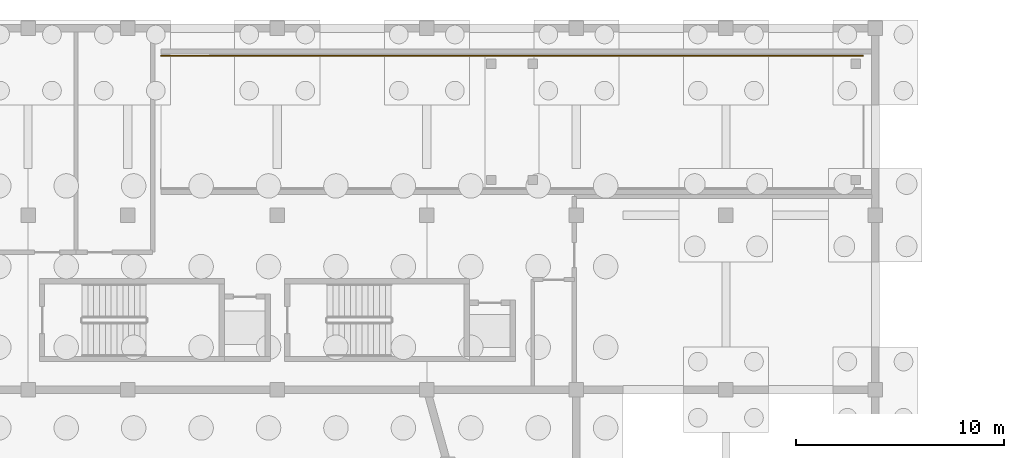
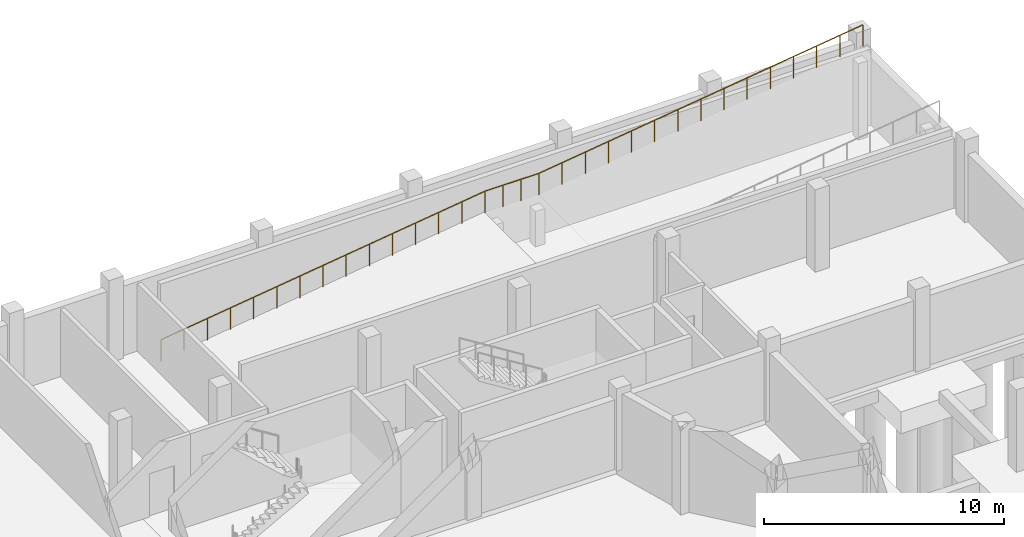
# One storey, part 21 of 22: 1 railing.
"""IFC4 building model written with IfcOpenShell, lengths in metres."""

from ifc_helpers import new_model, si_unit, direction, frame, origin, origin_2d, place, context, subcontext, project, spatial, circle, extrude, material, type_object, element, save


model = new_model("IFC4")

# Units and contexts
model_context = context("Model", 3, precision=1e-05, world=origin(), true_north=direction((0.0, 1.0)))
body_context = subcontext(model_context, "Body", "Model", "MODEL_VIEW")
ifc_project = project(units=[si_unit("LENGTHUNIT", "METRE"), si_unit("AREAUNIT", "SQUARE_METRE"), si_unit("VOLUMEUNIT", "CUBIC_METRE"), si_unit("PLANEANGLEUNIT", "RADIAN"), si_unit("MASSUNIT", "GRAM", prefix="KILO")], contexts=[model_context])

# Site, building, storey
site_placement = place(None, origin())
site = spatial("IfcSite", under=ifc_project, at=site_placement, CompositionType="ELEMENT")
building_placement = place(site_placement, origin())
building = spatial("IfcBuilding", under=site, at=building_placement, Name="Kahlenmark Community Centre", CompositionType="ELEMENT")
storey_placement = place(building_placement, frame((0.0, 0.0, -4.199951171875)))
storey = spatial("IfcBuildingStorey", under=building, at=storey_placement, Name="B1", CompositionType="ELEMENT", Elevation=-4.199951171875)

# Railing
ifc_material = material(Name="Powder-coated galvanized steel balustrade", Category="steel")
railing_type = type_object("IfcRailingType", Name="RLT-BAL-1120", PredefinedType="BALUSTRADE", material=ifc_material)
railing_placement = place(storey_placement, frame((52.39990234375, 113.68994140625, 0.0)))
element("IfcRailing", 1, at=railing_placement, inside=storey, type_object=railing_type, Name="Vehicle ramp raking guard N", PredefinedType="BALUSTRADE", context=body_context, shape_type="SweptSolid", body=[
    extrude(circle(Radius=0.02392578125, at=origin_2d()), frame((0.0, 0.0, 1.09619140625), z_axis=(0.991062002435, 0.0, 0.133402051441), x_axis=(0.0, 1.0, 0.0)), (0.0, 0.0, 1.0), 15.74072265625),
    extrude(circle(Radius=0.02392578125, at=origin_2d()), frame((15.60009765625, 0.0, 3.19580078125), z_axis=(1.0, 0.0, 0.0), x_axis=(0.0, 1.0, 0.0)), (0.0, 0.0, 1.0), 2.60009765625),
    extrude(circle(Radius=0.02392578125, at=origin_2d()), frame((18.2001953125, 0.0, 3.19580078125), z_axis=(0.991059675654, 0.0, 0.133419336275), x_axis=(0.0, 1.0, 0.0)), (0.0, 0.0, 1.0), 15.740478515625),
    extrude(circle(Radius=0.02099609375, at=origin_2d()), origin(), (0.0, 0.0, 1.0), 1.072021484375),
    extrude(circle(Radius=0.02099609375, at=origin_2d()), frame((1.1142578125, 0.0, 0.14990234375)), (0.0, 0.0, 1.0), 1.072021484375),
    extrude(circle(Radius=0.02099609375, at=origin_2d()), frame((2.228515625, 0.0, 0.300048828125)), (0.0, 0.0, 1.0), 1.072021484375),
    extrude(circle(Radius=0.02099609375, at=origin_2d()), frame((3.3427734375, 0.0, 0.449951171875)), (0.0, 0.0, 1.0), 1.072021484375),
    extrude(circle(Radius=0.02099609375, at=origin_2d()), frame((4.457275390625, 0.0, 0.599853515625)), (0.0, 0.0, 1.0), 1.072021484375),
    extrude(circle(Radius=0.02099609375, at=origin_2d()), frame((5.571533203125, 0.0, 0.75)), (0.0, 0.0, 1.0), 1.072021484375),
    extrude(circle(Radius=0.02099609375, at=origin_2d()), frame((6.685791015625, 0.0, 0.89990234375)), (0.0, 0.0, 1.0), 1.072021484375),
    extrude(circle(Radius=0.02099609375, at=origin_2d()), frame((7.800048828125, 0.0, 1.0498046875)), (0.0, 0.0, 1.0), 1.072021484375),
    extrude(circle(Radius=0.02099609375, at=origin_2d()), frame((8.914306640625, 0.0, 1.199951171875)), (0.0, 0.0, 1.0), 1.072021484375),
    extrude(circle(Radius=0.02099609375, at=origin_2d()), frame((10.028564453125, 0.0, 1.349853515625)), (0.0, 0.0, 1.0), 1.072021484375),
    extrude(circle(Radius=0.02099609375, at=origin_2d()), frame((11.142822265625, 0.0, 1.5)), (0.0, 0.0, 1.0), 1.072021484375),
    extrude(circle(Radius=0.02099609375, at=origin_2d()), frame((12.25732421875, 0.0, 1.64990234375)), (0.0, 0.0, 1.0), 1.072021484375),
    extrude(circle(Radius=0.02099609375, at=origin_2d()), frame((13.37158203125, 0.0, 1.7998046875)), (0.0, 0.0, 1.0), 1.072021484375),
    extrude(circle(Radius=0.02099609375, at=origin_2d()), frame((14.48583984375, 0.0, 1.949951171875)), (0.0, 0.0, 1.0), 1.072021484375),
    extrude(circle(Radius=0.02099609375, at=origin_2d()), frame((15.60009765625, 0.0, 2.099853515625)), (0.0, 0.0, 1.0), 1.072021484375),
    extrude(circle(Radius=0.02099609375, at=origin_2d()), frame((16.466796875, 0.0, 2.099853515625)), (0.0, 0.0, 1.0), 1.072021484375),
    extrude(circle(Radius=0.02099609375, at=origin_2d()), frame((17.33349609375, 0.0, 2.099853515625)), (0.0, 0.0, 1.0), 1.072021484375),
    extrude(circle(Radius=0.02099609375, at=origin_2d()), frame((18.2001953125, 0.0, 2.099853515625)), (0.0, 0.0, 1.0), 1.072021484375),
    extrude(circle(Radius=0.02099609375, at=origin_2d()), frame((19.314453125, 0.0, 2.249755859375)), (0.0, 0.0, 1.0), 1.072021484375),
    extrude(circle(Radius=0.02099609375, at=origin_2d()), frame((20.4287109375, 0.0, 2.39990234375)), (0.0, 0.0, 1.0), 1.072021484375),
    extrude(circle(Radius=0.02099609375, at=origin_2d()), frame((21.54296875, 0.0, 2.5498046875)), (0.0, 0.0, 1.0), 1.072021484375),
    extrude(circle(Radius=0.02099609375, at=origin_2d()), frame((22.6572265625, 0.0, 2.699951171875)), (0.0, 0.0, 1.0), 1.072021484375),
    extrude(circle(Radius=0.02099609375, at=origin_2d()), frame((23.771484375, 0.0, 2.849853515625)), (0.0, 0.0, 1.0), 1.072021484375),
    extrude(circle(Radius=0.02099609375, at=origin_2d()), frame((24.8857421875, 0.0, 3.0)), (0.0, 0.0, 1.0), 1.072021484375),
    extrude(circle(Radius=0.02099609375, at=origin_2d()), frame((26.0, 0.0, 3.14990234375)), (0.0, 0.0, 1.0), 1.072021484375),
    extrude(circle(Radius=0.02099609375, at=origin_2d()), frame((27.114501953125, 0.0, 3.2998046875)), (0.0, 0.0, 1.0), 1.072021484375),
    extrude(circle(Radius=0.02099609375, at=origin_2d()), frame((28.228759765625, 0.0, 3.449951171875)), (0.0, 0.0, 1.0), 1.072021484375),
    extrude(circle(Radius=0.02099609375, at=origin_2d()), frame((29.343017578125, 0.0, 3.599853515625)), (0.0, 0.0, 1.0), 1.072021484375),
    extrude(circle(Radius=0.02099609375, at=origin_2d()), frame((30.457275390625, 0.0, 3.75)), (0.0, 0.0, 1.0), 1.072021484375),
    extrude(circle(Radius=0.02099609375, at=origin_2d()), frame((31.571533203125, 0.0, 3.89990234375)), (0.0, 0.0, 1.0), 1.072021484375),
    extrude(circle(Radius=0.02099609375, at=origin_2d()), frame((32.685791015625, 0.0, 4.050048828125)), (0.0, 0.0, 1.0), 1.072021484375),
    extrude(circle(Radius=0.02099609375, at=origin_2d()), frame((33.800048828125, 0.0, 4.199951171875)), (0.0, 0.0, 1.0), 1.072021484375),
])

save(model, "model.ifc")
